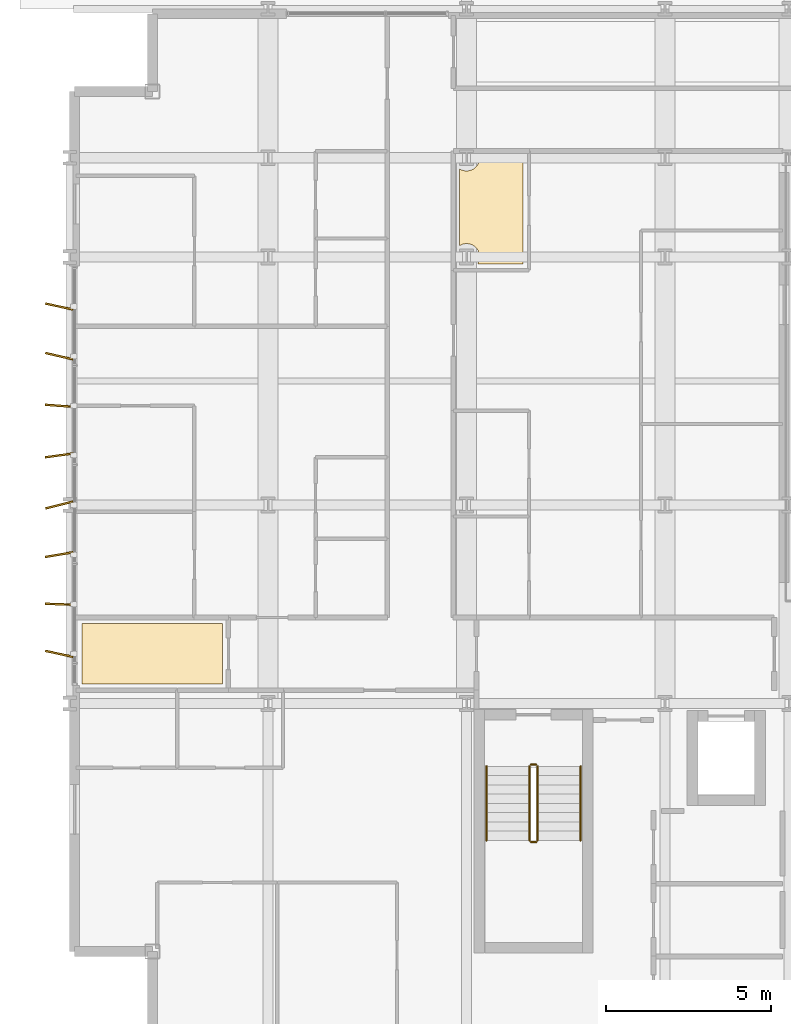
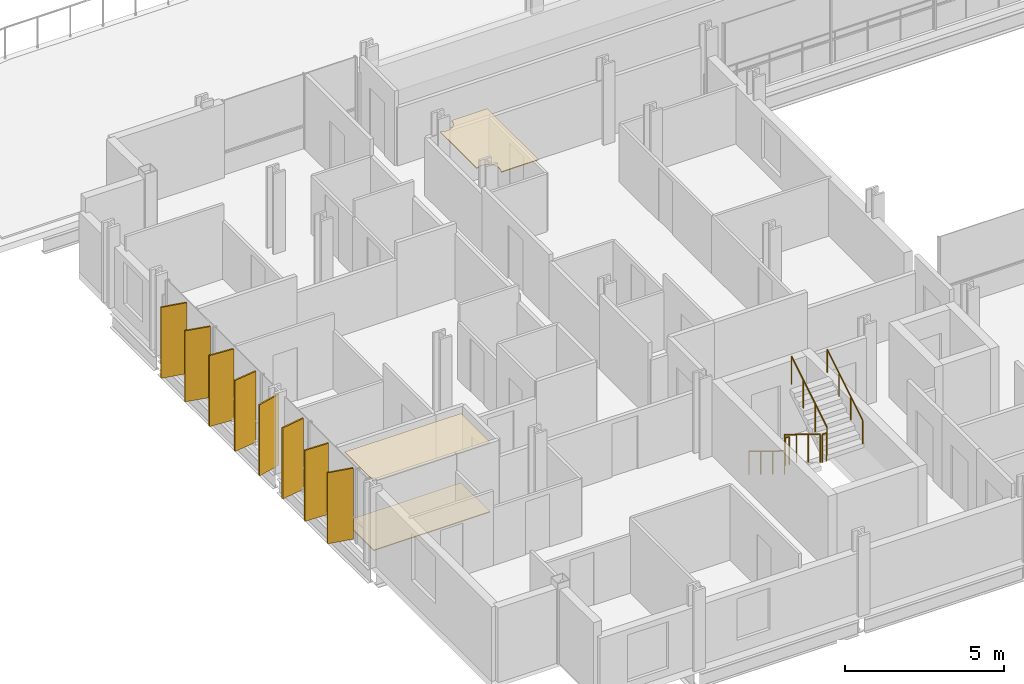
# One storey, part 35 of 38: 8 shading devices, 6 railings, 3 coverings.
"""IFC4 building model written with IfcOpenShell, lengths in metres."""

from ifc_helpers import new_model, si_unit, direction, frame, origin, origin_2d, place, context, subcontext, project, spatial, polyline, rectangle, circle, outline, extrude, material, layer, layer_set, type_object, element, save


model = new_model("IFC4")

# Units and contexts
model_context = context("Model", 3, precision=1e-05, world=origin(), true_north=direction((0.0, 1.0)))
body_context = subcontext(model_context, "Body", "Model", "MODEL_VIEW")
ifc_project = project(units=[si_unit("LENGTHUNIT", "METRE"), si_unit("AREAUNIT", "SQUARE_METRE"), si_unit("VOLUMEUNIT", "CUBIC_METRE"), si_unit("PLANEANGLEUNIT", "RADIAN"), si_unit("MASSUNIT", "GRAM", prefix="KILO")], contexts=[model_context])

# Site, building, storey
site_placement = place(None, origin())
site = spatial("IfcSite", under=ifc_project, at=site_placement, CompositionType="ELEMENT")
building_placement = place(site_placement, origin())
building = spatial("IfcBuilding", under=site, at=building_placement, Name="Brevholm Reach", CompositionType="ELEMENT")
storey_placement = place(building_placement, frame((0.0, 0.0, 28.0)))
storey = spatial("IfcBuildingStorey", under=building, at=storey_placement, Name="L06", CompositionType="ELEMENT", Elevation=28.0)

# Coverings
ifc_material_1 = material(Name="Moisture-Resistant Skimmed Gypsum Plasterboard Ceiling", Category="gypsum")
ifc_layer_1 = layer(ifc_material_1, 0.030029296875)
ifc_layer_set_1 = layer_set([ifc_layer_1], Name="Moisture-Resistant Skimmed Gypsum Plasterboard Ceiling")
covering_type_1 = type_object("IfcCoveringType", Name="COV-CLG-GYP", PredefinedType="CEILING", material=ifc_layer_set_1)
covering_1_placement = place(storey_placement, frame((0.0, 0.0, 2.669921875)))
element("IfcCovering", 1, at=covering_1_placement, inside=storey, type_object=covering_type_1, Name="L06 Suspended Ceiling L06-33", PredefinedType="CEILING", context=body_context, shape_type="SweptSolid", body=[
    extrude(outline(polyline([(0.3798828125, 12.419921875), (4.615966796875, 12.419921875), (4.615966796875, 10.583984375), (0.3798828125, 10.583984375), (0.3798828125, 12.419921875)])), origin(), (0.0, 0.0, 1.0), 0.030029296875),
])
covering_2_placement = place(storey_placement, frame((0.0, 0.0, 2.669921875)))
element("IfcCovering", 2, at=covering_2_placement, inside=storey, type_object=covering_type_1, Name="L06 Suspended Ceiling L06-52", PredefinedType="CEILING", context=body_context, shape_type="SweptSolid", body=[
    extrude(outline(polyline([(13.708984375, 23.280029296875), (12.333984375, 23.280029296875), (12.352783203125, 23.311279296875), (12.36962890625, 23.346923828125), (12.3828125, 23.3837890625), (12.392333984375, 23.422119140625), (12.398193359375, 23.460693359375), (12.39990234375, 23.5), (12.398193359375, 23.539306640625), (12.392333984375, 23.577880859375), (12.3828125, 23.6162109375), (12.36962890625, 23.653076171875), (12.352783203125, 23.688720703125), (12.33251953125, 23.72216796875), (12.30908203125, 23.75390625), (12.28271484375, 23.78271484375), (12.25390625, 23.80908203125), (12.22216796875, 23.83251953125), (12.188720703125, 23.852783203125), (12.153076171875, 23.86962890625), (12.1162109375, 23.8828125), (12.077880859375, 23.892333984375), (12.039306640625, 23.898193359375), (12.0, 23.89990234375), (11.960693359375, 23.898193359375), (11.922119140625, 23.892333984375), (11.8837890625, 23.8828125), (11.846923828125, 23.86962890625), (11.811279296875, 23.852783203125), (11.783935546875, 23.836181640625), (11.783935546875, 26.163818359375), (11.811279296875, 26.147216796875), (11.846923828125, 26.13037109375), (11.8837890625, 26.1171875), (11.922119140625, 26.107666015625), (11.960693359375, 26.101806640625), (12.0, 26.10009765625), (12.039306640625, 26.101806640625), (12.077880859375, 26.107666015625), (12.1162109375, 26.1171875), (12.153076171875, 26.13037109375), (12.188720703125, 26.147216796875), (12.22216796875, 26.16748046875), (12.25390625, 26.19091796875), (12.28271484375, 26.21728515625), (12.30908203125, 26.24609375), (12.33251953125, 26.27783203125), (12.352783203125, 26.311279296875), (12.36962890625, 26.346923828125), (12.3828125, 26.3837890625), (12.392333984375, 26.422119140625), (12.398193359375, 26.460693359375), (12.39990234375, 26.5), (12.399169921875, 26.51611328125), (13.708984375, 26.51611328125), (13.708984375, 23.280029296875)])), origin(), (0.0, 0.0, 1.0), 0.030029296875),
])
ifc_material_2 = material(Name="Honed Portland-Aggregate Resin Terrazzo Flooring", Category="concrete")
ifc_layer_2 = layer(ifc_material_2, 0.031982421875)
ifc_layer_set_2 = layer_set([ifc_layer_2], Name="Honed Portland-Aggregate Resin Terrazzo Flooring")
covering_type_2 = type_object("IfcCoveringType", Name="COV-FLR-TRZ", PredefinedType="FLOORING", material=ifc_layer_set_2)
covering_3_placement = place(storey_placement, origin())
element("IfcCovering", 3, at=covering_3_placement, inside=storey, type_object=covering_type_2, Name="L06 Floor Finish L06-33", PredefinedType="FLOORING", context=body_context, shape_type="SweptSolid", body=[
    extrude(outline(polyline([(0.3798828125, 12.419921875), (4.615966796875, 12.419921875), (4.615966796875, 10.583984375), (0.3798828125, 10.583984375), (0.3798828125, 12.419921875)])), origin(), (0.0, 0.0, 1.0), 0.031982421875),
])

# Railings
ifc_material_3 = material(Name="Brushed Stainless Steel EN 1.4401 Continuous Handrail", Category="steel")
railing_type_1 = type_object("IfcRailingType", Name="RAL-HND-950", PredefinedType="HANDRAIL", material=ifc_material_3)
railing_1_placement = place(storey_placement, frame((12.60009765625, 8.10009765625, 0.172119140625)))
element("IfcRailing", 4, at=railing_1_placement, inside=storey, type_object=railing_type_1, Name="L06 ST-1 stair handrail 1", PredefinedType="HANDRAIL", context=body_context, shape_type="SweptSolid", body=[
    extrude(circle(Radius=0.02392578125, at=origin_2d()), frame((0.0, 0.0, 0.8857421875), z_axis=(0.0, -0.851747552033, 0.523952390591), x_axis=(1.0, 0.0, 0.0)), (0.0, 0.0, 1.0), 2.6298828125),
    extrude(circle(Radius=0.02099609375, at=origin_2d()), origin(), (0.0, 0.0, 1.0), 0.86181640625),
    extrude(circle(Radius=0.02099609375, at=origin_2d()), frame((0.0, -0.74658203125, 0.459228515625)), (0.0, 0.0, 1.0), 0.86181640625),
    extrude(circle(Radius=0.02099609375, at=origin_2d()), frame((0.0, -1.493408203125, 0.918701171875)), (0.0, 0.0, 1.0), 0.86181640625),
    extrude(circle(Radius=0.02099609375, at=origin_2d()), frame((0.0, -2.239990234375, 1.3779296875)), (0.0, 0.0, 1.0), 0.86181640625),
])
railing_2_placement = place(storey_placement, frame((15.449951171875, 5.860107421875, 1.72216796875)))
element("IfcRailing", 5, at=railing_2_placement, inside=storey, type_object=railing_type_1, Name="L06 ST-1 stair handrail 2", PredefinedType="HANDRAIL", context=body_context, shape_type="SweptSolid", body=[
    extrude(circle(Radius=0.02392578125, at=origin_2d()), frame((0.0, 0.0, 0.8857421875), z_axis=(0.0, 0.851747552033, 0.523952390591), x_axis=(-1.0, 0.0, 0.0)), (0.0, 0.0, 1.0), 2.6298828125),
    extrude(circle(Radius=0.02099609375, at=origin_2d()), origin(), (0.0, 0.0, 1.0), 0.86181640625),
    extrude(circle(Radius=0.02099609375, at=origin_2d()), frame((0.0, 0.74658203125, 0.459228515625)), (0.0, 0.0, 1.0), 0.86181640625),
    extrude(circle(Radius=0.02099609375, at=origin_2d()), frame((0.0, 1.493408203125, 0.918701171875)), (0.0, 0.0, 1.0), 0.86181640625),
    extrude(circle(Radius=0.02099609375, at=origin_2d()), frame((0.0, 2.239990234375, 1.3779296875)), (0.0, 0.0, 1.0), 0.86181640625),
])
ifc_material_4 = material(Name="Painted Tubular Galvanised Steel S275JR Stair Guard", Category="steel")
railing_type_2 = type_object("IfcRailingType", Name="RAL-STG-1120", PredefinedType="BALUSTRADE", material=ifc_material_4)
railing_3_placement = place(storey_placement, frame((13.89990234375, 8.10009765625, 0.172119140625)))
element("IfcRailing", 6, at=railing_3_placement, inside=storey, type_object=railing_type_2, Name="L06 ST-1 stair guard 1", PredefinedType="BALUSTRADE", context=body_context, shape_type="SweptSolid", body=[
    extrude(circle(Radius=0.02392578125, at=origin_2d()), frame((0.0, 0.0, 1.076171875), z_axis=(0.0, -0.851747552033, 0.523952390591), x_axis=(1.0, 0.0, 0.0)), (0.0, 0.0, 1.0), 2.6298828125),
    extrude(circle(Radius=0.02099609375, at=origin_2d()), origin(), (0.0, 0.0, 1.0), 1.052001953125),
    extrude(circle(Radius=0.02099609375, at=origin_2d()), frame((0.0, -0.74658203125, 0.459228515625)), (0.0, 0.0, 1.0), 1.052001953125),
    extrude(circle(Radius=0.02099609375, at=origin_2d()), frame((0.0, -1.493408203125, 0.918701171875)), (0.0, 0.0, 1.0), 1.052001953125),
    extrude(circle(Radius=0.02099609375, at=origin_2d()), frame((0.0, -2.239990234375, 1.3779296875)), (0.0, 0.0, 1.0), 1.052001953125),
])
railing_4_placement = place(storey_placement, frame((13.949951171875, 5.81005859375, 1.550048828125)))
element("IfcRailing", 7, at=railing_4_placement, inside=storey, type_object=railing_type_2, Name="L06 ST-1 stair guard 2", PredefinedType="BALUSTRADE", context=body_context, shape_type="SweptSolid", body=[
    extrude(circle(Radius=0.02392578125, at=origin_2d()), frame((0.0, 0.0, 1.076171875), z_axis=(1.0, 0.0, 0.0), x_axis=(0.0, 1.0, 0.0)), (0.0, 0.0, 1.0), 0.150146484375),
    extrude(circle(Radius=0.02099609375, at=origin_2d()), origin(), (0.0, 0.0, 1.0), 1.052001953125),
    extrude(circle(Radius=0.02099609375, at=origin_2d()), frame((0.150146484375, 0.0, 0.0)), (0.0, 0.0, 1.0), 1.052001953125),
])
railing_5_placement = place(storey_placement, frame((14.14990234375, 5.860107421875, 1.72216796875)))
element("IfcRailing", 8, at=railing_5_placement, inside=storey, type_object=railing_type_2, Name="L06 ST-1 stair guard 3", PredefinedType="BALUSTRADE", context=body_context, shape_type="SweptSolid", body=[
    extrude(circle(Radius=0.02392578125, at=origin_2d()), frame((0.0, 0.0, 1.076171875), z_axis=(0.0, 0.851747552033, 0.523952390591), x_axis=(-1.0, 0.0, 0.0)), (0.0, 0.0, 1.0), 2.6298828125),
    extrude(circle(Radius=0.02099609375, at=origin_2d()), origin(), (0.0, 0.0, 1.0), 1.052001953125),
    extrude(circle(Radius=0.02099609375, at=origin_2d()), frame((0.0, 0.74658203125, 0.459228515625)), (0.0, 0.0, 1.0), 1.052001953125),
    extrude(circle(Radius=0.02099609375, at=origin_2d()), frame((0.0, 1.493408203125, 0.918701171875)), (0.0, 0.0, 1.0), 1.052001953125),
    extrude(circle(Radius=0.02099609375, at=origin_2d()), frame((0.0, 2.239990234375, 1.3779296875)), (0.0, 0.0, 1.0), 1.052001953125),
])
railing_6_placement = place(storey_placement, frame((13.949951171875, 8.14990234375, 0.0)))
element("IfcRailing", 9, at=railing_6_placement, inside=storey, type_object=railing_type_2, Name="L06 ST-1 stair guard 4", PredefinedType="BALUSTRADE", context=body_context, shape_type="SweptSolid", body=[
    extrude(circle(Radius=0.02392578125, at=origin_2d()), frame((0.0, 0.0, 1.076171875), z_axis=(1.0, 0.0, 0.0), x_axis=(0.0, 1.0, 0.0)), (0.0, 0.0, 1.0), 0.150146484375),
    extrude(circle(Radius=0.02099609375, at=origin_2d()), origin(), (0.0, 0.0, 1.0), 1.052001953125),
    extrude(circle(Radius=0.02099609375, at=origin_2d()), frame((0.150146484375, 0.0, 0.0)), (0.0, 0.0, 1.0), 1.052001953125),
])

# Shading devices
ifc_material_5 = material(Name="Perforated Champagne-Bronze Anodised Aluminium", Category="aluminium")
ifc_layer_3 = layer(ifc_material_5, 0.054931640625)
ifc_layer_set_3 = layer_set([ifc_layer_3], Name="Perforated Champagne-Bronze Anodised Aluminium")
shading_device_type = type_object("IfcShadingDeviceType", Name="SHD-FIN-850", PredefinedType="USERDEFINED", material=ifc_layer_set_3)
for number, where, z_axis, x_axis, name in (
    (10, (-0.31494140625, 11.5, 0.070068359375), (0.0, 0.0, 1.0), (-0.977838081261, 0.20936257267, 0.0), "L06 Perforated Solar Screen Fin 1"),
    (11, (-0.31494140625, 13.0, 0.070068359375), (0.0, 0.0, 1.0), (-0.99938533269, 0.035056480215, 0.0), "L06 Perforated Solar Screen Fin 2"),
    (12, (-0.31494140625, 14.5, 0.070068359375), (0.0, 0.0, 1.0), (-0.986054190273, -0.166424559018, 0.0), "L06 Perforated Solar Screen Fin 3"),
    (13, (-0.31494140625, 16.0, 0.070068359375), (0.0, 0.0, 1.0), (-0.970485432005, -0.241159752582, 0.0), "L06 Perforated Solar Screen Fin 4"),
    (14, (-0.31494140625, 17.5, 0.070068359375), (0.0, 0.0, 1.0), (-0.990695656398, -0.136095982282, 0.0), "L06 Perforated Solar Screen Fin 5"),
    (15, (-0.31494140625, 19.0, 0.070068359375), (0.0, 0.0, 1.0), (-0.997313198825, 0.073255603538, 0.0), "L06 Perforated Solar Screen Fin 6"),
    (16, (-0.31494140625, 20.5, 0.070068359375), (0.0, 0.0, 1.0), (-0.974130018286, 0.225988290571, 0.0), "L06 Perforated Solar Screen Fin 7"),
    (17, (-0.31494140625, 22.0, 0.070068359375), (0.0, 0.0, 1.0), (-0.977838081261, 0.20936257267, 0.0), "L06 Perforated Solar Screen Fin 8"),
):
    element("IfcShadingDevice", number, at=place(storey_placement, frame(where, z_axis=z_axis, x_axis=x_axis)), inside=storey, type_object=shading_device_type, Name=name, ObjectType="SCREEN", PredefinedType="USERDEFINED", context=body_context, shape_type="SweptSolid", body=[
        extrude(rectangle(XDim=0.85009765625, YDim=0.054931640625, at=origin_2d()), origin(), (0.0, 0.0, 1.0), 2.72998046875),
    ])

save(model, "model.ifc")
